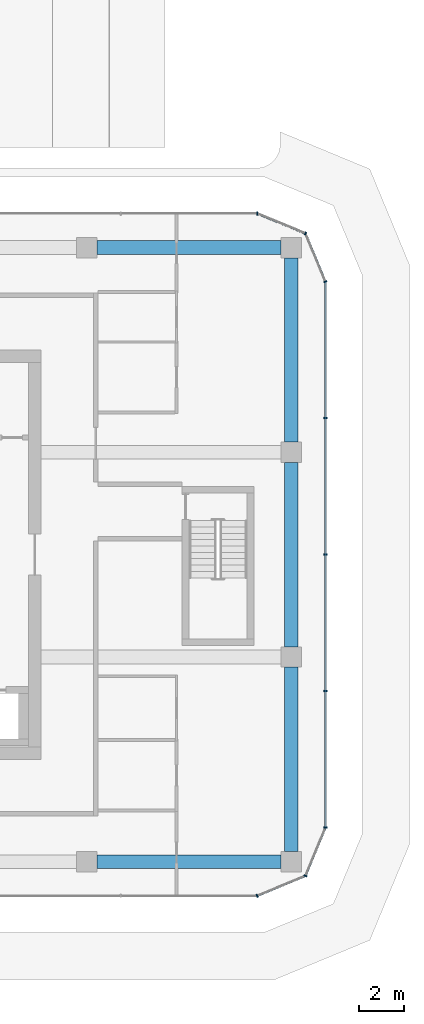
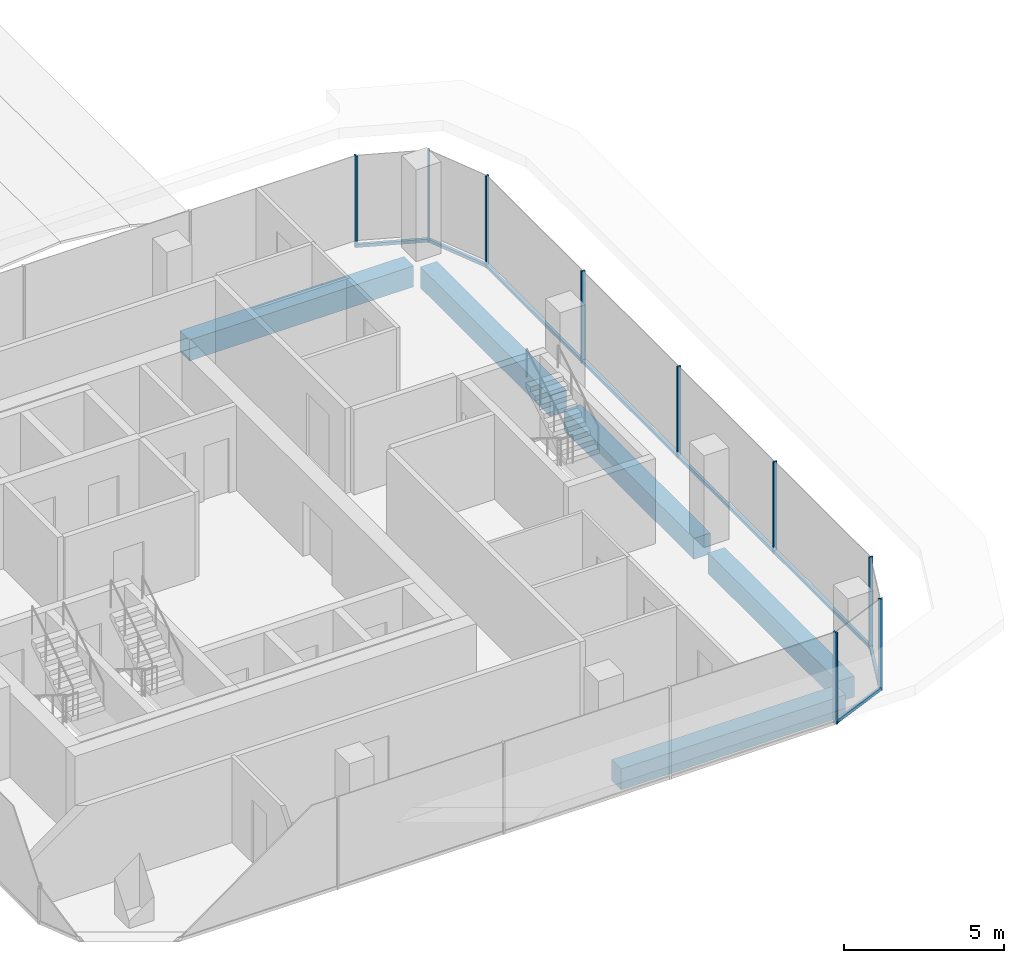
# One storey, part 10 of 24: 14 members, 5 beams, 6 elements without a shape of their own.
"""IFC4 building model written with IfcOpenShell, lengths in metres."""

from ifc_helpers import new_model, si_unit, direction, frame, origin, origin_2d, place, context, subcontext, project, spatial, rectangle, extrude, material, layer, layer_set, material_profile, profile_set, type_object, element, aggregate, save


model = new_model("IFC4")

# Units and contexts
model_context = context("Model", 3, precision=1e-05, world=origin(), true_north=direction((0.0, 1.0)))
body_context = subcontext(model_context, "Body", "Model", "MODEL_VIEW")
ifc_project = project(units=[si_unit("LENGTHUNIT", "METRE"), si_unit("AREAUNIT", "SQUARE_METRE"), si_unit("VOLUMEUNIT", "CUBIC_METRE"), si_unit("PLANEANGLEUNIT", "RADIAN"), si_unit("MASSUNIT", "GRAM", prefix="KILO")], contexts=[model_context])

# Site, building, storey
site_placement = place(None, origin())
site = spatial("IfcSite", under=ifc_project, at=site_placement, CompositionType="ELEMENT")
building_placement = place(site_placement, origin())
building = spatial("IfcBuilding", under=site, at=building_placement, Name="Plateau Cross Towers", CompositionType="ELEMENT")
storey_placement = place(building_placement, frame((0.0, 0.0, 30.300048828125)))
storey = spatial("IfcBuildingStorey", under=building, at=storey_placement, Name="L06", CompositionType="ELEMENT", Elevation=30.300048828125)

# Curtain wall, member
ifc_material_1 = material(Name="Dark low-iron glass", Category="glass")
ifc_layer = layer(ifc_material_1, 0.239990234375)
ifc_layer_set = layer_set([ifc_layer], Name="Dark low-iron glass")
curtain_wall_type = type_object("IfcCurtainWallType", Name="Curtain wall office unitised CW-F", PredefinedType="NOTDEFINED", material=ifc_layer_set)
curtain_wall_1_placement = place(storey_placement, origin())
curtain_wall_1 = element("IfcCurtainWall", 1, at=curtain_wall_1_placement, inside=storey, type_object=curtain_wall_type, Name="ENV/B/L06/B990_-60", PredefinedType="NOTDEFINED")
ifc_material_2 = material(Name="Black anodised aluminium", Category="aluminium")
ifc_material_profile_1 = material_profile(ifc_material_2, rectangle(XDim=0.06005859375, YDim=0.139892578125, at=origin_2d()), Name="MULLION 60x140")
ifc_profile_set_1 = profile_set([ifc_material_profile_1], Name="Black anodised aluminium")
member_type_1 = type_object("IfcMemberType", Name="Mullion 60x140 office unitised", PredefinedType="MULLION", material=ifc_profile_set_1)
member_1_placement = place(storey_placement, frame((99.0, -6.0, -0.25), z_axis=(0.0, 0.0, 1.0), x_axis=(0.923879457699, 0.382683612978, 0.0)))
member_1 = element("IfcMember", 2, at=member_1_placement, type_object=member_type_1, Name="CW-F mullion 1", PredefinedType="MULLION", context=body_context, shape_type="SweptSolid", body=[
    extrude(rectangle(XDim=0.06005859375, YDim=0.139892578125, at=origin_2d()), origin(), (0.0, 0.0, 1.0), 3.5),
])

curtain_wall_2_placement = place(storey_placement, origin())
curtain_wall_2 = element("IfcCurtainWall", 3, at=curtain_wall_2_placement, inside=storey, type_object=curtain_wall_type, Name="ENV/B/L06/B1011_-51", PredefinedType="NOTDEFINED")
member_2_placement = place(storey_placement, frame((101.121337890625, -5.121337890625, -0.25), z_axis=(0.0, 0.0, 1.0), x_axis=(0.382683612978, 0.923879457699, 0.0)))
member_2 = element("IfcMember", 4, at=member_2_placement, type_object=member_type_1, Name="CW-F mullion 1", PredefinedType="MULLION", context=body_context, shape_type="SweptSolid", body=[
    extrude(rectangle(XDim=0.06005859375, YDim=0.139892578125, at=origin_2d()), origin(), (0.0, 0.0, 1.0), 3.5),
])

# Curtain wall, members
curtain_wall_3_placement = place(storey_placement, origin())
curtain_wall_3 = element("IfcCurtainWall", 5, at=curtain_wall_3_placement, inside=storey, type_object=curtain_wall_type, Name="ENV/B/L06/B1020_-30", PredefinedType="NOTDEFINED")
member_3_placement = place(storey_placement, frame((102.0, -3.0, -0.25), z_axis=(0.0, 0.0, 1.0), x_axis=(0.0, 1.0, 0.0)))
member_3 = element("IfcMember", 6, at=member_3_placement, type_object=member_type_1, Name="CW-F mullion 1", PredefinedType="MULLION", context=body_context, shape_type="SweptSolid", body=[
    extrude(rectangle(XDim=0.06005859375, YDim=0.139892578125, at=origin_2d()), origin(), (0.0, 0.0, 1.0), 3.5),
])
member_4_placement = place(storey_placement, frame((102.0, 3.0, -0.25), z_axis=(0.0, 0.0, 1.0), x_axis=(0.0, 1.0, 0.0)))
member_4 = element("IfcMember", 7, at=member_4_placement, type_object=member_type_1, Name="CW-F mullion 2", PredefinedType="MULLION", context=body_context, shape_type="SweptSolid", body=[
    extrude(rectangle(XDim=0.06005859375, YDim=0.139892578125, at=origin_2d()), origin(), (0.0, 0.0, 1.0), 3.5),
])
member_5_placement = place(storey_placement, frame((102.0, 9.0, -0.25), z_axis=(0.0, 0.0, 1.0), x_axis=(0.0, 1.0, 0.0)))
member_5 = element("IfcMember", 8, at=member_5_placement, type_object=member_type_1, Name="CW-F mullion 3", PredefinedType="MULLION", context=body_context, shape_type="SweptSolid", body=[
    extrude(rectangle(XDim=0.06005859375, YDim=0.139892578125, at=origin_2d()), origin(), (0.0, 0.0, 1.0), 3.5),
])
member_6_placement = place(storey_placement, frame((102.0, 15.0, -0.25), z_axis=(0.0, 0.0, 1.0), x_axis=(0.0, 1.0, 0.0)))
member_6 = element("IfcMember", 9, at=member_6_placement, type_object=member_type_1, Name="CW-F mullion 4", PredefinedType="MULLION", context=body_context, shape_type="SweptSolid", body=[
    extrude(rectangle(XDim=0.06005859375, YDim=0.139892578125, at=origin_2d()), origin(), (0.0, 0.0, 1.0), 3.5),
])

# Curtain wall, member
curtain_wall_4_placement = place(storey_placement, origin())
curtain_wall_4 = element("IfcCurtainWall", 10, at=curtain_wall_4_placement, inside=storey, type_object=curtain_wall_type, Name="ENV/B/L06/B1020_210", PredefinedType="NOTDEFINED")
member_7_placement = place(storey_placement, frame((102.0, 21.0, -0.25), z_axis=(0.0, 0.0, 1.0), x_axis=(-0.382683612978, 0.923879457699, 0.0)))
member_7 = element("IfcMember", 11, at=member_7_placement, type_object=member_type_1, Name="CW-F mullion 1", PredefinedType="MULLION", context=body_context, shape_type="SweptSolid", body=[
    extrude(rectangle(XDim=0.06005859375, YDim=0.139892578125, at=origin_2d()), origin(), (0.0, 0.0, 1.0), 3.5),
])

curtain_wall_5_placement = place(storey_placement, origin())
curtain_wall_5 = element("IfcCurtainWall", 12, at=curtain_wall_5_placement, inside=storey, type_object=curtain_wall_type, Name="ENV/B/L06/B1011_231", PredefinedType="NOTDEFINED")
member_8_placement = place(storey_placement, frame((101.121337890625, 23.121337890625, -0.25), z_axis=(0.0, 0.0, 1.0), x_axis=(-0.923879457699, 0.382683612978, 0.0)))
member_8 = element("IfcMember", 13, at=member_8_placement, type_object=member_type_1, Name="CW-F mullion 1", PredefinedType="MULLION", context=body_context, shape_type="SweptSolid", body=[
    extrude(rectangle(XDim=0.06005859375, YDim=0.139892578125, at=origin_2d()), origin(), (0.0, 0.0, 1.0), 3.5),
])

curtain_wall_6_placement = place(storey_placement, origin())
curtain_wall_6 = element("IfcCurtainWall", 14, at=curtain_wall_6_placement, inside=storey, type_object=curtain_wall_type, Name="ENV/B/L06/B990_240", PredefinedType="NOTDEFINED")
member_9_placement = place(storey_placement, frame((99.0, 24.0, -0.25), z_axis=(0.0, 0.0, 1.0), x_axis=(-1.0, 0.0, 0.0)))
member_9 = element("IfcMember", 15, at=member_9_placement, type_object=member_type_1, Name="CW-F mullion 1", PredefinedType="MULLION", context=body_context, shape_type="SweptSolid", body=[
    extrude(rectangle(XDim=0.06005859375, YDim=0.139892578125, at=origin_2d()), origin(), (0.0, 0.0, 1.0), 3.5),
])
aggregate(curtain_wall_6, [member_9])

# Beams
ifc_material_3 = material(Name="Concrete C60/75", Category="concrete")
ifc_material_profile_2 = material_profile(ifc_material_3, rectangle(XDim=0.60009765625, YDim=0.800048828125, at=origin_2d()), Name="RC 600x800")
ifc_profile_set_2 = profile_set([ifc_material_profile_2], Name="Concrete C60/75")
beam_type = type_object("IfcBeamType", Name="Ring beam RC 600x800", PredefinedType="BEAM", material=ifc_profile_set_2)
for number, where, z_axis, x_axis, name in (
    (16, (91.949951171875, -4.5, -0.650146484375), (1.0, 0.0, 0.0), (0.0, 1.0, 0.0), "B-RB02@L06"),
    (17, (100.5, -4.050048828125, -0.650146484375), (0.0, 1.0, 0.0), (-1.0, 0.0, 0.0), "B-RB03@L06"),
    (18, (100.5, 4.949951171875, -0.650146484375), (0.0, 1.0, 0.0), (-1.0, 0.0, 0.0), "B-RB04@L06"),
    (19, (100.5, 13.949951171875, -0.650146484375), (0.0, 1.0, 0.0), (-1.0, 0.0, 0.0), "B-RB05@L06"),
    (20, (100.050048828125, 22.5, -0.650146484375), (-1.0, 0.0, 0.0), (0.0, -1.0, 0.0), "B-RB06@L06"),
):
    element("IfcBeam", number, at=place(storey_placement, frame(where, z_axis=z_axis, x_axis=x_axis)), inside=storey, type_object=beam_type, Name=name, PredefinedType="BEAM", context=body_context, shape_type="SweptSolid", body=[
        extrude(rectangle(XDim=0.60009765625, YDim=0.800048828125, at=origin_2d()), origin(), (0.0, 0.0, 1.0), 8.10009765625),
    ])

# Member
ifc_material_profile_3 = material_profile(ifc_material_2, rectangle(XDim=0.10009765625, YDim=0.1201171875, at=origin_2d()), Name="TRANSOM 100x120")
ifc_profile_set_3 = profile_set([ifc_material_profile_3], Name="Black anodised aluminium")
member_type_2 = type_object("IfcMemberType", Name="Transom 100x120 office unitised", PredefinedType="USERDEFINED", material=ifc_profile_set_3)
member_10_placement = place(storey_placement, frame((99.0, -6.0, -0.18994140625), z_axis=(0.923883353507, 0.382674207535, 0.0), x_axis=(-0.382674207535, 0.923883353507, 0.0)))
member_10 = element("IfcMember", 21, at=member_10_placement, type_object=member_type_2, Name="CW-F transom", ObjectType="TRANSOM", PredefinedType="USERDEFINED", context=body_context, shape_type="SweptSolid", body=[
    extrude(rectangle(XDim=0.10009765625, YDim=0.1201171875, at=origin_2d()), origin(), (0.0, 0.0, 1.0), 2.296142578125),
])

aggregate(curtain_wall_1, [member_1, member_10])

member_11_placement = place(storey_placement, frame((101.121337890625, -5.121337890625, -0.18994140625), z_axis=(0.382674207535, 0.923883353507, 0.0), x_axis=(-0.923883353507, 0.382674207535, 0.0)))
member_11 = element("IfcMember", 22, at=member_11_placement, type_object=member_type_2, Name="CW-F transom", ObjectType="TRANSOM", PredefinedType="USERDEFINED", context=body_context, shape_type="SweptSolid", body=[
    extrude(rectangle(XDim=0.10009765625, YDim=0.1201171875, at=origin_2d()), origin(), (0.0, 0.0, 1.0), 2.296142578125),
])

aggregate(curtain_wall_2, [member_2, member_11])

member_12_placement = place(storey_placement, frame((102.0, -3.0, -0.18994140625), z_axis=(0.0, 1.0, 0.0), x_axis=(-1.0, 0.0, 0.0)))
member_12 = element("IfcMember", 23, at=member_12_placement, type_object=member_type_2, Name="CW-F transom", ObjectType="TRANSOM", PredefinedType="USERDEFINED", context=body_context, shape_type="SweptSolid", body=[
    extrude(rectangle(XDim=0.10009765625, YDim=0.1201171875, at=origin_2d()), origin(), (0.0, 0.0, 1.0), 24.0),
])

aggregate(curtain_wall_3, [member_3, member_4, member_5, member_6, member_12])

member_13_placement = place(storey_placement, frame((102.0, 21.0, -0.18994140625), z_axis=(-0.382674207535, 0.923883353507, 0.0), x_axis=(-0.923883353507, -0.382674207535, 0.0)))
member_13 = element("IfcMember", 24, at=member_13_placement, type_object=member_type_2, Name="CW-F transom", ObjectType="TRANSOM", PredefinedType="USERDEFINED", context=body_context, shape_type="SweptSolid", body=[
    extrude(rectangle(XDim=0.10009765625, YDim=0.1201171875, at=origin_2d()), origin(), (0.0, 0.0, 1.0), 2.296142578125),
])

aggregate(curtain_wall_4, [member_7, member_13])

member_14_placement = place(storey_placement, frame((101.121337890625, 23.121337890625, -0.18994140625), z_axis=(-0.923883353507, 0.382674207535, 0.0), x_axis=(-0.382674207535, -0.923883353507, 0.0)))
member_14 = element("IfcMember", 25, at=member_14_placement, type_object=member_type_2, Name="CW-F transom", ObjectType="TRANSOM", PredefinedType="USERDEFINED", context=body_context, shape_type="SweptSolid", body=[
    extrude(rectangle(XDim=0.10009765625, YDim=0.1201171875, at=origin_2d()), origin(), (0.0, 0.0, 1.0), 2.296142578125),
])

aggregate(curtain_wall_5, [member_8, member_14])

save(model, "model.ifc")
